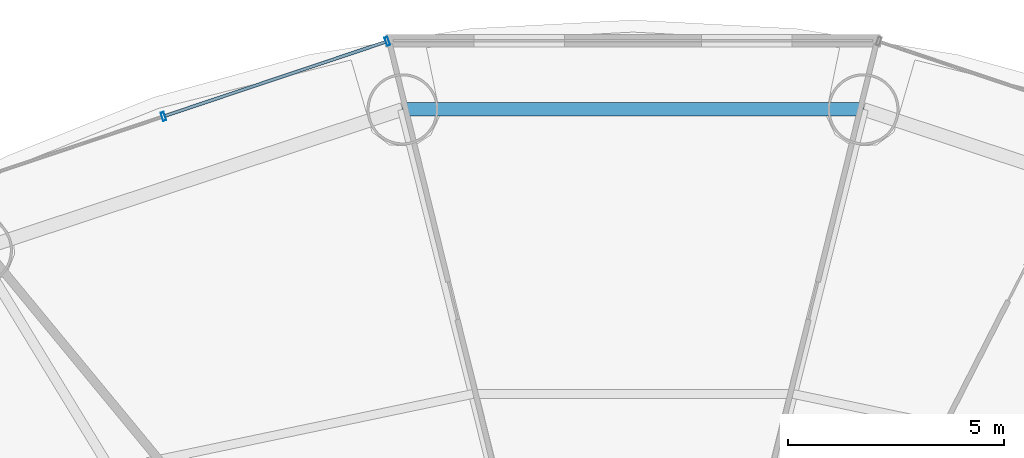
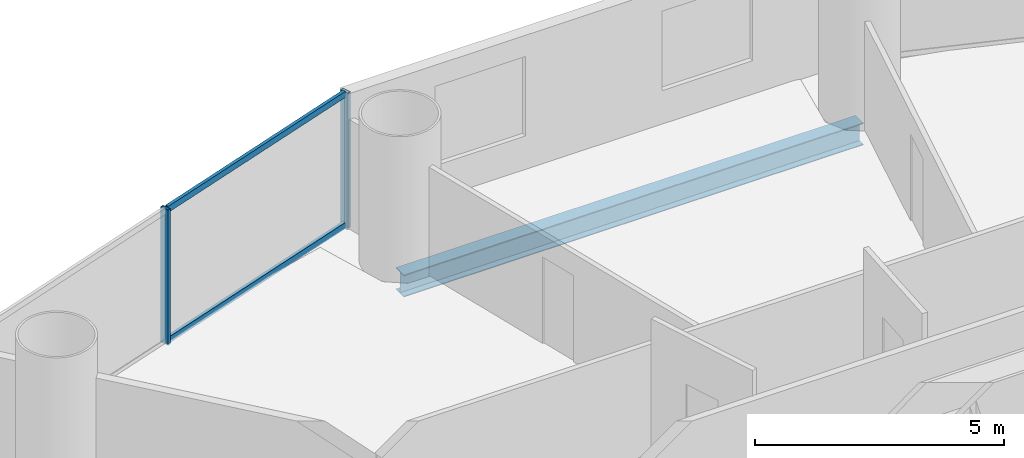
# One storey, part 16 of 28: 4 members, 1 beam, 1 element without a shape of its own.
"""IFC4 building model written with IfcOpenShell, lengths in metres."""

import ifcopenshell
import ifcopenshell.guid

model = None  # the IFC model being written
_history = None  # IfcOwnerHistory: only IFC2X3 demands one
_inside = {}  # id of a spatial element -> (the spatial element, [elements in it])
_under = {}  # id of a project, library or spatial element -> (it, [spatial elements below it])
_declared = {}  # id of a project -> (the project, [libraries it declares])
_typed = {}  # id of a type object -> (the type object, [elements of that type])
_made_of = {}  # id of a material, layer set ... -> (it, [elements and type objects made of it])


def new_model(schema):
    """Start an empty IFC model of exactly this schema.

    Asked for "IFC4X3", IfcOpenShell would pick the latest addendum, in which some entities
    have other attributes; the version numbers below select the first issue.
    IFC2X3 requires an IfcOwnerHistory on every rooted entity: one is made here for all.
    """
    global model, _history
    if schema == "IFC4X3":
        model = ifcopenshell.file(schema_version=(4, 3, 0, 0))
    else:
        model = ifcopenshell.file(schema=schema)
    _inside.clear()
    _under.clear()
    _declared.clear()
    _typed.clear()
    _made_of.clear()
    _history = None
    if model.schema == "IFC2X3":
        org = make("IfcOrganization", Name="unknown")
        user = make(
            "IfcPersonAndOrganization",
            ThePerson=make("IfcPerson", FamilyName="unknown"),
            TheOrganization=org,
        )
        app = make(
            "IfcApplication",
            ApplicationDeveloper=org,
            Version="unknown",
            ApplicationFullName="unknown",
            ApplicationIdentifier="unknown",
        )
        _history = make(
            "IfcOwnerHistory",
            OwningUser=user,
            OwningApplication=app,
            ChangeAction="ADDED",
            CreationDate=0,
        )
    return model


def make(cls, **values):
    """One entity of the class cls with the attributes given. An attribute that is None is left unset."""
    return model.create_entity(
        cls, **{name: value for name, value in values.items() if value is not None}
    )


def rooted(cls, **values):
    """An entity with a GlobalId (a new one), such as an element, a storey or a relation."""
    return make(cls, GlobalId=ifcopenshell.guid.new(), OwnerHistory=_history, **values)


def si_unit(unit_type, name, prefix=None):
    """IfcSIUnit, for example si_unit("LENGTHUNIT", "METRE", prefix="MILLI")."""
    return make("IfcSIUnit", UnitType=unit_type, Prefix=prefix, Name=name)


def assignment(units):
    """IfcUnitAssignment: the units of a project."""
    return None if units is None else make("IfcUnitAssignment", Units=units)


def point(xyz):
    """IfcCartesianPoint."""
    return None if xyz is None else make("IfcCartesianPoint", Coordinates=xyz)


def direction(xyz):
    """IfcDirection."""
    return None if xyz is None else make("IfcDirection", DirectionRatios=xyz)


def frame(location, z_axis=None, x_axis=None):
    """IfcAxis2Placement3D, a coordinate frame: its origin and axes. An axis left out is left unset."""
    return make(
        "IfcAxis2Placement3D",
        Location=point(location),
        Axis=direction(z_axis),
        RefDirection=direction(x_axis),
    )


def frame_2d(location, x_axis=None):
    """IfcAxis2Placement2D, a coordinate frame in the plane: its origin and x axis."""
    return make(
        "IfcAxis2Placement2D", Location=point(location), RefDirection=direction(x_axis)
    )


def origin():
    """The frame at (0, 0, 0) with its axes left unset."""
    return frame((0.0, 0.0, 0.0))


def origin_2d():
    """The frame at (0, 0) in the plane with its x axis left unset."""
    return frame_2d((0.0, 0.0))


def place(relative_to, where):
    """IfcLocalPlacement: puts the frame where relative to a parent placement (None: the world)."""
    return make(
        "IfcLocalPlacement", PlacementRelTo=relative_to, RelativePlacement=where
    )


def context(
    kind, dimensions, precision=None, world=None, true_north=None, identifier=None
):
    """IfcGeometricRepresentationContext, for example the 3D "Model" context."""
    return make(
        "IfcGeometricRepresentationContext",
        ContextIdentifier=identifier,
        ContextType=kind,
        CoordinateSpaceDimension=dimensions,
        Precision=precision,
        WorldCoordinateSystem=world,
        TrueNorth=true_north,
    )


def subcontext(parent, identifier, kind, view, scale=None):
    """IfcGeometricRepresentationSubContext, for example "Body" below "Model"."""
    return make(
        "IfcGeometricRepresentationSubContext",
        ContextIdentifier=identifier,
        ContextType=kind,
        ParentContext=parent,
        TargetScale=scale,
        TargetView=view,
    )


def project(units=None, contexts=None):
    """IfcProject with its units and contexts."""
    return rooted(
        "IfcProject",
        Name="project",
        RepresentationContexts=contexts,
        UnitsInContext=assignment(units),
    )


def spatial(cls, under=None, at=None, **own):
    """A site, building, storey or space (cls), placed at a placement, below another one or the project."""
    s = rooted(cls, ObjectPlacement=at, **own)
    if under is not None:
        _under.setdefault(under.id(), (under, []))[1].append(s)
    return s


def profile(cls, at=None, kind="AREA", **sizes):
    """A parametric profile (cls). Its sizes go by their IFC names, for example OverallWidth=200.0."""
    return make(cls, ProfileType=kind, Position=at, **sizes)


def hollow_rectangle(**sizes):
    """IfcRectangleHollowProfileDef."""
    return profile("IfcRectangleHollowProfileDef", **sizes)


def i_section(**sizes):
    """IfcIShapeProfileDef."""
    return profile("IfcIShapeProfileDef", **sizes)


def extrude(swept, where, along, depth):
    """IfcExtrudedAreaSolid: the profile swept, set in the frame where, extruded along a direction by depth."""
    return make(
        "IfcExtrudedAreaSolid",
        SweptArea=swept,
        Position=where,
        ExtrudedDirection=direction(along),
        Depth=depth,
    )


def shape(context_of_items, identifier, shape_type, items):
    """IfcShapeRepresentation: the items that make up one representation, for example the "Body"."""
    return make(
        "IfcShapeRepresentation",
        ContextOfItems=context_of_items,
        RepresentationIdentifier=identifier,
        RepresentationType=shape_type,
        Items=items,
    )


def source(mapping_origin, context_of_items, identifier, shape_type, items):
    """IfcRepresentationMap: a shape defined once, which mapped items show again and again."""
    return make(
        "IfcRepresentationMap",
        MappingOrigin=mapping_origin,
        MappedRepresentation=shape(context_of_items, identifier, shape_type, items),
    )


def transform(
    local_origin,
    x_axis=None,
    y_axis=None,
    z_axis=None,
    scale=None,
    scale2=None,
    scale3=None,
    uniform=True,
):
    """IfcCartesianTransformationOperator3D, or its non-uniform kind. x_axis, y_axis, z_axis: its Axis1, 2, 3."""
    if uniform:
        return make(
            "IfcCartesianTransformationOperator3D",
            Axis1=direction(x_axis),
            Axis2=direction(y_axis),
            LocalOrigin=point(local_origin),
            Scale=scale,
            Axis3=direction(z_axis),
        )
    return make(
        "IfcCartesianTransformationOperator3DnonUniform",
        Axis1=direction(x_axis),
        Axis2=direction(y_axis),
        LocalOrigin=point(local_origin),
        Scale=scale,
        Axis3=direction(z_axis),
        Scale2=scale2,
        Scale3=scale3,
    )


def mapped(mapping_source, mapping_target):
    """IfcMappedItem: shows the shape of a source again, moved by a transform."""
    return make(
        "IfcMappedItem", MappingSource=mapping_source, MappingTarget=mapping_target
    )


def material(Name=None, Category=None):
    """IfcMaterial."""
    return make("IfcMaterial", Name=Name, Category=Category)


def material_profile(
    of_material, cross_section, Name=None, Category=None, Priority=None
):
    """IfcMaterialProfile: a cross section and its material."""
    return make(
        "IfcMaterialProfile",
        Name=Name,
        Material=of_material,
        Profile=cross_section,
        Priority=Priority,
        Category=Category,
    )


def profile_set(profiles, Name=None, composite=None):
    """IfcMaterialProfileSet."""
    return make(
        "IfcMaterialProfileSet",
        Name=Name,
        MaterialProfiles=profiles,
        CompositeProfile=composite,
    )


def made_of(thing, what):
    """Note that an element or type object is made of a material, layer set ...; save() writes the relation."""
    if what is not None:
        _made_of.setdefault(what.id(), (what, []))[1].append(thing)
    return thing


def type_object(cls, material=None, **own):
    """A type object (cls), such as IfcWallType, which elements share."""
    return made_of(rooted(cls, **own), material)


def element(
    cls,
    number,
    at=None,
    inside=None,
    cuts=None,
    type_object=None,
    material=None,
    context=None,
    identifier="Body",
    shape_type=None,
    held_by="IfcProductDefinitionShape",
    body=None,
    shapes=None,
    **own,
):
    """One element of the class cls, such as IfcWall. Its Tag is "e" and its number.

    at: its placement. inside: the storey or other place that contains it. cuts: it is an
    opening in that element (IfcRelVoidsElement). A single representation is given by context,
    identifier, shape_type and body (its items); several are given by shapes. held_by: the class
    of the entity that holds the representations. save() writes the other relations.
    """
    e = rooted(cls, Tag="e%d" % number, ObjectPlacement=at, **own)
    if body is not None:
        shapes = [shape(context, identifier, shape_type, body)]
    if shapes is not None:
        e.Representation = make(held_by, Representations=shapes)
    if inside is not None:
        _inside.setdefault(inside.id(), (inside, []))[1].append(e)
    if cuts is not None:
        rooted(
            "IfcRelVoidsElement", RelatingBuildingElement=cuts, RelatedOpeningElement=e
        )
    if type_object is not None:
        _typed.setdefault(type_object.id(), (type_object, []))[1].append(e)
    return made_of(e, material)


def aggregate(whole, parts):
    """IfcRelAggregates: a whole, such as a stair, and the parts it consists of."""
    return rooted("IfcRelAggregates", RelatingObject=whole, RelatedObjects=parts)


def save(model, path):
    """Write the relations noted so far, then the file.

    IfcRelAggregates (storeys below a building ...), IfcRelContainedInSpatialStructure (elements
    in a storey), IfcRelDefinesByType, IfcRelAssociatesMaterial and IfcRelDeclares: one each for
    every whole, place, type object, material and project.
    """
    for whole, parts in _under.values():
        aggregate(whole, parts)
    for where, things in _inside.values():
        rooted(
            "IfcRelContainedInSpatialStructure",
            RelatedElements=things,
            RelatingStructure=where,
        )
    for kind, things in _typed.values():
        rooted("IfcRelDefinesByType", RelatedObjects=things, RelatingType=kind)
    for what, things in _made_of.values():
        rooted("IfcRelAssociatesMaterial", RelatedObjects=things, RelatingMaterial=what)
    for by, libraries in _declared.values():
        rooted("IfcRelDeclares", RelatingContext=by, RelatedDefinitions=libraries)
    model.write(path)


model = new_model("IFC4")

# Units and contexts
model_context = context("Model", 3, precision=1e-05, world=origin(), true_north=direction((-0.2419218956, 0.970295726276)))
body_context = subcontext(model_context, "Body", "Model", "MODEL_VIEW")
ifc_project = project(units=[si_unit("LENGTHUNIT", "METRE"), si_unit("AREAUNIT", "SQUARE_METRE"), si_unit("VOLUMEUNIT", "CUBIC_METRE"), si_unit("PLANEANGLEUNIT", "RADIAN"), si_unit("MASSUNIT", "GRAM", prefix="KILO")], contexts=[model_context])

# Site, building, storey
site_placement = place(None, origin())
site = spatial("IfcSite", under=ifc_project, at=site_placement, CompositionType="ELEMENT")
building_placement = place(site_placement, origin())
building = spatial("IfcBuilding", under=site, at=building_placement, Name="Cobrevalo Terracotta Tower", CompositionType="ELEMENT")
storey_placement = place(building_placement, frame((0.0, 0.0, 38.39990234375)))
storey = spatial("IfcBuildingStorey", under=building, at=storey_placement, Name="L09", CompositionType="ELEMENT", Elevation=38.39990234375)

# Beam
ifc_material_1 = material(Name="Steel S355", Category="steel")
ifc_material_profile_1 = material_profile(ifc_material_1, i_section(OverallWidth=0.31201171875, OverallDepth=0.54296875, WebThickness=0.0126953125, FlangeThickness=0.020263671875, at=origin_2d()), Name="W 530x150")
ifc_profile_set_1 = profile_set([ifc_material_profile_1], Name="Steel S355")
beam_type = type_object("IfcBeamType", Name="Structural Spandrel W 530x150 (Steel S355)", PredefinedType="SPANDREL", material=ifc_profile_set_1)
beam_placement = place(storey_placement, frame((43.335693359375, 48.230224609375, -0.551513671875), z_axis=(-1.0, 0.0, 0.0), x_axis=(0.0, -1.0, 0.0)))
element("IfcBeam", 1, at=beam_placement, inside=storey, type_object=beam_type, Name="L09 perimeter ring spandrel 04", PredefinedType="SPANDREL", context=body_context, shape_type="SweptSolid", body=[
    extrude(i_section(OverallWidth=0.31201171875, OverallDepth=0.54296875, WebThickness=0.0126953125, FlangeThickness=0.020263671875, at=origin_2d()), origin(), (0.0, 0.0, 1.0), 10.67138671875),
])

# Curtain wall, members
ifc_material_2 = material(Name="Anodized aluminium", Category="aluminium")
curtain_wall_type = type_object("IfcCurtainWallType", Name="Lower-tower unitised acoustic low-E curtain wall CW-U1", PredefinedType="NOTDEFINED", material=ifc_material_2)
curtain_wall_placement = place(storey_placement, origin())
curtain_wall = element("IfcCurtainWall", 2, at=curtain_wall_placement, inside=storey, type_object=curtain_wall_type, Name="L09 curtain wall CW-L09-S05", PredefinedType="NOTDEFINED")
ifc_material_profile_2 = material_profile(ifc_material_2, hollow_rectangle(XDim=0.074951171875, YDim=0.199951171875, WallThickness=0.0048828125, at=origin_2d()), Name="CWM 75x200")
ifc_profile_set_2 = profile_set([ifc_material_profile_2], Name="Anodized aluminium")
member_type_1 = type_object("IfcMemberType", Name="Lower/mid tower unitised mullion 75x200", PredefinedType="MULLION", material=ifc_profile_set_2)
shared_shape_1 = source(origin(), body_context, "Body", "SweptSolid", [
    extrude(hollow_rectangle(XDim=0.074951171875, YDim=0.199951171875, WallThickness=0.0048828125, at=origin_2d()), origin(), (0.0, 0.0, 1.0), 3.320068359375),
])
member_1_placement = place(storey_placement, frame((32.310302734375, 49.806396484375, 0.0), z_axis=(0.0, 0.0, 1.0), x_axis=(-0.948046393597, -0.318132103987, 0.0)))
member_1 = element("IfcMember", 3, at=member_1_placement, type_object=member_type_1, Name="CW-L09-S05 vertical mullion 01", PredefinedType="MULLION", context=body_context, shape_type="MappedRepresentation", body=[
    mapped(shared_shape_1, transform((0.0, 0.0, 0.0), scale=1.0)),
])
member_2_placement = place(storey_placement, frame((27.126708984375, 48.06689453125, 0.0), z_axis=(0.0, 0.0, 1.0), x_axis=(-0.948046393597, -0.318132103987, 0.0)))
member_2 = element("IfcMember", 4, at=member_2_placement, type_object=member_type_1, Name="CW-L09-S05 vertical mullion 02", PredefinedType="MULLION", context=body_context, shape_type="MappedRepresentation", body=[
    mapped(shared_shape_1, transform((0.0, 0.0, 0.0), scale=1.0)),
])
ifc_material_profile_3 = material_profile(ifc_material_2, hollow_rectangle(XDim=0.074951171875, YDim=0.14990234375, WallThickness=0.00439453125, at=origin_2d()), Name="CWT 75x150")
ifc_profile_set_3 = profile_set([ifc_material_profile_3], Name="Anodized aluminium")
member_type_2 = type_object("IfcMemberType", Name="Tower unitised aluminium transom 75x150", PredefinedType="USERDEFINED", material=ifc_profile_set_3)
shared_shape_2 = source(origin(), body_context, "Body", "SweptSolid", [
    extrude(hollow_rectangle(XDim=0.074951171875, YDim=0.14990234375, WallThickness=0.00439453125, at=origin_2d()), origin(), (0.0, 0.0, 1.0), 5.387939453125),
])
member_3_placement = place(storey_placement, frame((32.2724609375, 49.793701171875, 0.050048828125), z_axis=(-0.94804244582, -0.318143868278, 0.0), x_axis=(0.318143868278, -0.94804244582, 0.0)))
member_3 = element("IfcMember", 5, at=member_3_placement, type_object=member_type_2, Name="CW-L09-S05 transom B01-T1", ObjectType="TRANSOM", PredefinedType="USERDEFINED", context=body_context, shape_type="MappedRepresentation", body=[
    mapped(shared_shape_2, transform((0.0, 0.0, 0.0), scale=1.0)),
])
member_4_placement = place(storey_placement, frame((32.2724609375, 49.793701171875, 3.27001953125), z_axis=(-0.94804244582, -0.318143868278, 0.0), x_axis=(0.318143868278, -0.94804244582, 0.0)))
member_4 = element("IfcMember", 6, at=member_4_placement, type_object=member_type_2, Name="CW-L09-S05 transom B01-T2", ObjectType="TRANSOM", PredefinedType="USERDEFINED", context=body_context, shape_type="MappedRepresentation", body=[
    mapped(shared_shape_2, transform((0.0, 0.0, 0.0), scale=1.0)),
])
aggregate(curtain_wall, [member_1, member_2, member_3, member_4])

save(model, "model.ifc")
